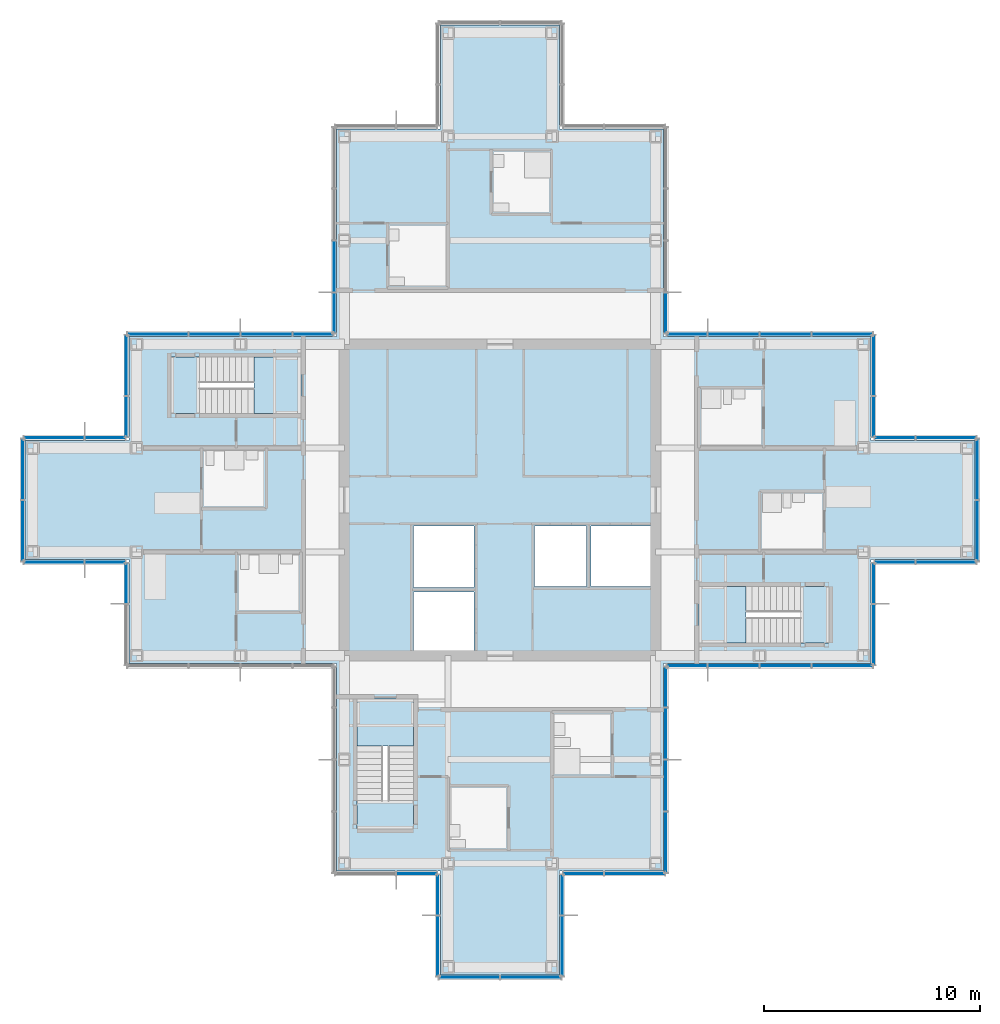
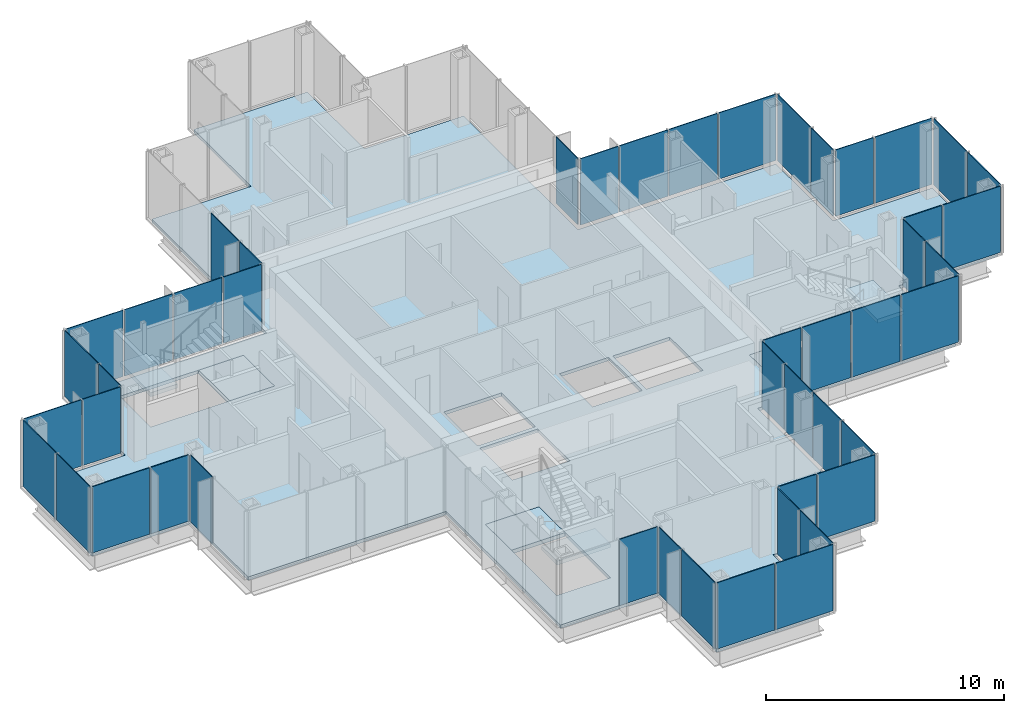
# One storey, part 10 of 17: 47 plates, 7 slabs, 24 elements without a shape of their own.
"""IFC4 building model written with IfcOpenShell, lengths in metres."""

from ifc_helpers import new_model, si_unit, direction, frame, origin, origin_2d, place, context, subcontext, project, spatial, polyline, rectangle, outline, extrude, material, layer, layer_set, type_object, element, aggregate, save


model = new_model("IFC4")

# Units and contexts
model_context = context("Model", 3, precision=1e-05, world=origin(), true_north=direction((0.0, 1.0)))
body_context = subcontext(model_context, "Body", "Model", "MODEL_VIEW")
ifc_project = project(units=[si_unit("LENGTHUNIT", "METRE"), si_unit("AREAUNIT", "SQUARE_METRE"), si_unit("VOLUMEUNIT", "CUBIC_METRE"), si_unit("PLANEANGLEUNIT", "RADIAN"), si_unit("MASSUNIT", "GRAM", prefix="KILO")], contexts=[model_context])

# Site, building, storey
site_placement = place(None, origin())
site = spatial("IfcSite", under=ifc_project, at=site_placement, CompositionType="ELEMENT")
building_placement = place(site_placement, origin())
building = spatial("IfcBuilding", under=site, at=building_placement, Name="Kvirike Care Tower", CompositionType="ELEMENT")
storey_placement = place(building_placement, frame((0.0, 0.0, 172.5)))
storey = spatial("IfcBuildingStorey", under=building, at=storey_placement, Name="L47", CompositionType="ELEMENT", Elevation=172.5)

# Slab
ifc_material_1 = material(Name="Concrete C35/45", Category="concrete")
ifc_layer_1 = layer(ifc_material_1, 0.169921875)
ifc_layer_set_1 = layer_set([ifc_layer_1], Name="FLOOR SLAB 170")
slab_type_1 = type_object("IfcSlabType", Name="FLOOR SLAB 170", PredefinedType="FLOOR", material=ifc_layer_set_1)
slab_1_placement = place(storey_placement, frame((0.0, 0.0, -0.169921875)))
element("IfcSlab", 1, at=slab_1_placement, inside=storey, type_object=slab_type_1, Name="Floor slab L47", PredefinedType="FLOOR", context=body_context, shape_type="SweptSolid", body=[
    extrude(outline(polyline([(29.14990234375, 28.449951171875), (38.75, 28.449951171875), (38.75, 33.25), (43.550048828125, 33.25), (43.550048828125, 38.75), (38.75, 38.75), (38.75, 43.550048828125), (29.14990234375, 43.550048828125), (29.14990234375, 53.14990234375), (24.35009765625, 53.14990234375), (24.35009765625, 57.949951171875), (18.85009765625, 57.949951171875), (18.85009765625, 53.14990234375), (14.050048828125, 53.14990234375), (14.050048828125, 43.550048828125), (4.449951171875, 43.550048828125), (4.449951171875, 38.75), (-0.35009765625, 38.75), (-0.35009765625, 33.25), (4.449951171875, 33.25), (4.449951171875, 28.449951171875), (14.050048828125, 28.449951171875), (14.050048828125, 18.85009765625), (18.85009765625, 18.85009765625), (18.85009765625, 14.050048828125), (24.35009765625, 14.050048828125), (24.35009765625, 18.85009765625), (29.14990234375, 18.85009765625), (29.14990234375, 28.449951171875)]), holes=[polyline([(17.60009765625, 29.050048828125), (17.60009765625, 31.75), (20.39990234375, 31.75), (20.39990234375, 29.050048828125), (17.60009765625, 29.050048828125)]), polyline([(17.60009765625, 31.949951171875), (17.60009765625, 34.800048828125), (20.39990234375, 34.800048828125), (20.39990234375, 31.949951171875), (17.60009765625, 31.949951171875)]), polyline([(23.199951171875, 32.0), (23.199951171875, 34.800048828125), (25.60009765625, 34.800048828125), (25.60009765625, 32.0), (23.199951171875, 32.0)]), polyline([(25.800048828125, 32.0), (25.800048828125, 34.800048828125), (28.550048828125, 34.800048828125), (28.550048828125, 32.0), (25.800048828125, 32.0)]), polyline([(12.39990234375, 42.60009765625), (12.39990234375, 40.0), (6.39990234375, 40.0), (6.39990234375, 42.60009765625), (12.39990234375, 42.60009765625)]), polyline([(30.800048828125, 29.39990234375), (30.800048828125, 32.0), (36.800048828125, 32.0), (36.800048828125, 29.39990234375), (30.800048828125, 29.39990234375)]), polyline([(15.0, 26.800048828125), (17.60009765625, 26.800048828125), (17.60009765625, 20.800048828125), (15.0, 20.800048828125), (15.0, 26.800048828125)])]), origin(), (0.0, 0.0, 1.0), 0.169921875),
])

# Stair, slabs
ifc_material_2 = material(Name="Concrete C35/45", Category="concrete")
stair_type = type_object("IfcStairType", Name="STAIR 20 RISERS", PredefinedType="HALF_TURN_STAIR", material=ifc_material_2)
stair_1_placement = place(storey_placement, origin())
stair_1 = element("IfcStair", 2, at=stair_1_placement, inside=storey, type_object=stair_type, Name="Stair 1 L47", PredefinedType="HALF_TURN_STAIR")
ifc_material_3 = material(Name="Concrete C35/45", Category="concrete")
ifc_layer_2 = layer(ifc_material_3, 0.199951171875)
ifc_layer_set_2 = layer_set([ifc_layer_2], Name="STAIR LANDING 200")
slab_type_2 = type_object("IfcSlabType", Name="STAIR LANDING 200", PredefinedType="LANDING", material=ifc_layer_set_2)
slab_2_placement = place(storey_placement, frame((0.0, 0.0, -0.199951171875)))
slab_2 = element("IfcSlab", 3, at=slab_2_placement, type_object=slab_type_2, Name="Stair S1 floor landing L47", PredefinedType="LANDING", context=body_context, shape_type="SweptSolid", body=[
    extrude(outline(polyline([(10.219970703125, 42.60009765625), (10.219970703125, 40.0), (12.39990234375, 40.0), (12.39990234375, 42.60009765625), (10.219970703125, 42.60009765625)])), origin(), (0.0, 0.0, 1.0), 0.199951171875),
])
slab_3_placement = place(storey_placement, frame((0.0, 0.0, 1.550048828125)))
slab_3 = element("IfcSlab", 4, at=slab_3_placement, type_object=slab_type_2, Name="Stair S1 half landing L47-L48", PredefinedType="LANDING", context=body_context, shape_type="SweptSolid", body=[
    extrude(outline(polyline([(6.39990234375, 42.60009765625), (6.39990234375, 40.0), (7.699951171875, 40.0), (7.699951171875, 42.60009765625), (6.39990234375, 42.60009765625)])), origin(), (0.0, 0.0, 1.0), 0.199951171875),
])
aggregate(stair_1, [slab_2, slab_3])

stair_2_placement = place(storey_placement, origin())
stair_2 = element("IfcStair", 5, at=stair_2_placement, inside=storey, type_object=stair_type, Name="Stair 2 L47", PredefinedType="HALF_TURN_STAIR")
slab_4_placement = place(storey_placement, frame((0.0, 0.0, -0.199951171875)))
slab_4 = element("IfcSlab", 6, at=slab_4_placement, type_object=slab_type_2, Name="Stair S2 floor landing L47", PredefinedType="LANDING", context=body_context, shape_type="SweptSolid", body=[
    extrude(outline(polyline([(32.97998046875, 29.39990234375), (32.97998046875, 32.0), (30.800048828125, 32.0), (30.800048828125, 29.39990234375), (32.97998046875, 29.39990234375)])), origin(), (0.0, 0.0, 1.0), 0.199951171875),
])
slab_5_placement = place(storey_placement, frame((0.0, 0.0, 1.550048828125)))
slab_5 = element("IfcSlab", 7, at=slab_5_placement, type_object=slab_type_2, Name="Stair S2 half landing L47-L48", PredefinedType="LANDING", context=body_context, shape_type="SweptSolid", body=[
    extrude(outline(polyline([(36.800048828125, 29.39990234375), (36.800048828125, 32.0), (35.5, 32.0), (35.5, 29.39990234375), (36.800048828125, 29.39990234375)])), origin(), (0.0, 0.0, 1.0), 0.199951171875),
])
aggregate(stair_2, [slab_4, slab_5])

stair_3_placement = place(storey_placement, origin())
stair_3 = element("IfcStair", 8, at=stair_3_placement, inside=storey, type_object=stair_type, Name="Stair 5 L47", PredefinedType="HALF_TURN_STAIR")
slab_6_placement = place(storey_placement, frame((0.0, 0.0, -0.199951171875)))
slab_6 = element("IfcSlab", 9, at=slab_6_placement, type_object=slab_type_2, Name="Stair S5 floor landing L47", PredefinedType="LANDING", context=body_context, shape_type="SweptSolid", body=[
    extrude(outline(polyline([(15.0, 24.6201171875), (17.60009765625, 24.6201171875), (17.60009765625, 26.800048828125), (15.0, 26.800048828125), (15.0, 24.6201171875)])), origin(), (0.0, 0.0, 1.0), 0.199951171875),
])
slab_7_placement = place(storey_placement, frame((0.0, 0.0, 1.550048828125)))
slab_7 = element("IfcSlab", 10, at=slab_7_placement, type_object=slab_type_2, Name="Stair S5 half landing L47-L48", PredefinedType="LANDING", context=body_context, shape_type="SweptSolid", body=[
    extrude(outline(polyline([(15.0, 20.800048828125), (17.60009765625, 20.800048828125), (17.60009765625, 22.10009765625), (15.0, 22.10009765625), (15.0, 20.800048828125)])), origin(), (0.0, 0.0, 1.0), 0.199951171875),
])
aggregate(stair_3, [slab_6, slab_7])

# Curtain wall, plates
ifc_material_4 = material(Name="Anodised aluminium stick system", Category="aluminium")
curtain_wall_type = type_object("IfcCurtainWallType", Name="CW-C STICK CURTAIN WALL", PredefinedType="NOTDEFINED", material=ifc_material_4)
curtain_wall_1_placement = place(storey_placement, origin())
curtain_wall_1 = element("IfcCurtainWall", 11, at=curtain_wall_1_placement, inside=storey, type_object=curtain_wall_type, Name="Curtain wall L47 face 1", PredefinedType="NOTDEFINED")
ifc_material_5 = material(Name="Tinted double glazed unit", Category="glass")
ifc_layer_3 = layer(ifc_material_5, 0.0400390625)
ifc_layer_set_3 = layer_set([ifc_layer_3], Name="TINTED VISION PANEL 40")
plate_type = type_object("IfcPlateType", Name="TINTED VISION PANEL 40", PredefinedType="CURTAIN_PANEL", material=ifc_layer_set_3)
plate_1_placement = place(storey_placement, frame((30.251220703125, 28.330078125, 0.10009765625), z_axis=(0.0, 0.0, 1.0), x_axis=(1.0, 0.0, 0.0)))
plate_1 = element("IfcPlate", 12, at=plate_1_placement, type_object=plate_type, Name="CW-C panel L47 face 1.1", PredefinedType="CURTAIN_PANEL", context=body_context, shape_type="SweptSolid", body=[
    extrude(rectangle(XDim=1.83251953125, YDim=0.0400390625, at=origin_2d()), origin(), (0.0, 0.0, 1.0), 3.39990234375),
])
plate_2_placement = place(storey_placement, frame((32.39990234375, 28.330078125, 0.10009765625), z_axis=(0.0, 0.0, 1.0), x_axis=(1.0, 0.0, 0.0)))
plate_2 = element("IfcPlate", 13, at=plate_2_placement, type_object=plate_type, Name="CW-C panel L47 face 1.2", PredefinedType="CURTAIN_PANEL", context=body_context, shape_type="SweptSolid", body=[
    extrude(rectangle(XDim=2.3349609375, YDim=0.0400390625, at=origin_2d()), origin(), (0.0, 0.0, 1.0), 3.39990234375),
])
plate_3_placement = place(storey_placement, frame((34.800048828125, 28.330078125, 0.10009765625), z_axis=(0.0, 0.0, 1.0), x_axis=(1.0, 0.0, 0.0)))
plate_3 = element("IfcPlate", 14, at=plate_3_placement, type_object=plate_type, Name="CW-C panel L47 face 1.3", PredefinedType="CURTAIN_PANEL", context=body_context, shape_type="SweptSolid", body=[
    extrude(rectangle(XDim=2.3349609375, YDim=0.0400390625, at=origin_2d()), origin(), (0.0, 0.0, 1.0), 3.39990234375),
])
plate_4_placement = place(storey_placement, frame((37.418701171875, 28.330078125, 0.10009765625), z_axis=(0.0, 0.0, 1.0), x_axis=(1.0, 0.0, 0.0)))
plate_4 = element("IfcPlate", 15, at=plate_4_placement, type_object=plate_type, Name="CW-C panel L47 face 1.4", PredefinedType="CURTAIN_PANEL", context=body_context, shape_type="SweptSolid", body=[
    extrude(rectangle(XDim=2.7724609375, YDim=0.0400390625, at=origin_2d()), origin(), (0.0, 0.0, 1.0), 3.39990234375),
])
aggregate(curtain_wall_1, [plate_1, plate_2, plate_3, plate_4])

curtain_wall_2_placement = place(storey_placement, origin())
curtain_wall_2 = element("IfcCurtainWall", 16, at=curtain_wall_2_placement, inside=storey, type_object=curtain_wall_type, Name="Curtain wall L47 face 2", PredefinedType="NOTDEFINED")
plate_5_placement = place(storey_placement, frame((38.8701171875, 29.78125, 0.10009765625), z_axis=(0.0, 0.0, 1.0), x_axis=(0.0, 1.0, 0.0)))
plate_5 = element("IfcPlate", 17, at=plate_5_placement, type_object=plate_type, Name="CW-C panel L47 face 2.1", PredefinedType="CURTAIN_PANEL", context=body_context, shape_type="SweptSolid", body=[
    extrude(rectangle(XDim=2.7724609375, YDim=0.0400390625, at=origin_2d()), origin(), (0.0, 0.0, 1.0), 3.39990234375),
])
plate_6_placement = place(storey_placement, frame((38.8701171875, 32.148681640625, 0.10009765625), z_axis=(0.0, 0.0, 1.0), x_axis=(0.0, 1.0, 0.0)))
plate_6 = element("IfcPlate", 18, at=plate_6_placement, type_object=plate_type, Name="CW-C panel L47 face 2.2", PredefinedType="CURTAIN_PANEL", context=body_context, shape_type="SweptSolid", body=[
    extrude(rectangle(XDim=1.83251953125, YDim=0.0400390625, at=origin_2d()), origin(), (0.0, 0.0, 1.0), 3.39990234375),
])
aggregate(curtain_wall_2, [plate_5, plate_6])

curtain_wall_3_placement = place(storey_placement, origin())
curtain_wall_3 = element("IfcCurtainWall", 19, at=curtain_wall_3_placement, inside=storey, type_object=curtain_wall_type, Name="Curtain wall L47 face 3", PredefinedType="NOTDEFINED")
plate_7_placement = place(storey_placement, frame((39.851318359375, 33.1298828125, 0.10009765625), z_axis=(0.0, 0.0, 1.0), x_axis=(1.0, 0.0, 0.0)))
plate_7 = element("IfcPlate", 20, at=plate_7_placement, type_object=plate_type, Name="CW-C panel L47 face 3.1", PredefinedType="CURTAIN_PANEL", context=body_context, shape_type="SweptSolid", body=[
    extrude(rectangle(XDim=1.83251953125, YDim=0.0400390625, at=origin_2d()), origin(), (0.0, 0.0, 1.0), 3.39990234375),
])
plate_8_placement = place(storey_placement, frame((42.21875, 33.1298828125, 0.10009765625), z_axis=(0.0, 0.0, 1.0), x_axis=(1.0, 0.0, 0.0)))
plate_8 = element("IfcPlate", 21, at=plate_8_placement, type_object=plate_type, Name="CW-C panel L47 face 3.2", PredefinedType="CURTAIN_PANEL", context=body_context, shape_type="SweptSolid", body=[
    extrude(rectangle(XDim=2.7724609375, YDim=0.0400390625, at=origin_2d()), origin(), (0.0, 0.0, 1.0), 3.39990234375),
])
aggregate(curtain_wall_3, [plate_7, plate_8])

curtain_wall_4_placement = place(storey_placement, origin())
curtain_wall_4 = element("IfcCurtainWall", 22, at=curtain_wall_4_placement, inside=storey, type_object=curtain_wall_type, Name="Curtain wall L47 face 4", PredefinedType="NOTDEFINED")
plate_9_placement = place(storey_placement, frame((43.669921875, 34.581298828125, 0.10009765625), z_axis=(0.0, 0.0, 1.0), x_axis=(0.0, 1.0, 0.0)))
plate_9 = element("IfcPlate", 23, at=plate_9_placement, type_object=plate_type, Name="CW-C panel L47 face 4.1", PredefinedType="CURTAIN_PANEL", context=body_context, shape_type="SweptSolid", body=[
    extrude(rectangle(XDim=2.7724609375, YDim=0.0400390625, at=origin_2d()), origin(), (0.0, 0.0, 1.0), 3.39990234375),
])
plate_10_placement = place(storey_placement, frame((43.669921875, 37.418701171875, 0.10009765625), z_axis=(0.0, 0.0, 1.0), x_axis=(0.0, 1.0, 0.0)))
plate_10 = element("IfcPlate", 24, at=plate_10_placement, type_object=plate_type, Name="CW-C panel L47 face 4.2", PredefinedType="CURTAIN_PANEL", context=body_context, shape_type="SweptSolid", body=[
    extrude(rectangle(XDim=2.7724609375, YDim=0.0400390625, at=origin_2d()), origin(), (0.0, 0.0, 1.0), 3.39990234375),
])
aggregate(curtain_wall_4, [plate_9, plate_10])

curtain_wall_5_placement = place(storey_placement, origin())
curtain_wall_5 = element("IfcCurtainWall", 25, at=curtain_wall_5_placement, inside=storey, type_object=curtain_wall_type, Name="Curtain wall L47 face 5", PredefinedType="NOTDEFINED")
plate_11_placement = place(storey_placement, frame((42.21875, 38.8701171875, 0.10009765625), z_axis=(0.0, 0.0, 1.0), x_axis=(-1.0, 0.0, 0.0)))
plate_11 = element("IfcPlate", 26, at=plate_11_placement, type_object=plate_type, Name="CW-C panel L47 face 5.1", PredefinedType="CURTAIN_PANEL", context=body_context, shape_type="SweptSolid", body=[
    extrude(rectangle(XDim=2.7724609375, YDim=0.0400390625, at=origin_2d()), origin(), (0.0, 0.0, 1.0), 3.39990234375),
])
plate_12_placement = place(storey_placement, frame((39.851318359375, 38.8701171875, 0.10009765625), z_axis=(0.0, 0.0, 1.0), x_axis=(-1.0, 0.0, 0.0)))
plate_12 = element("IfcPlate", 27, at=plate_12_placement, type_object=plate_type, Name="CW-C panel L47 face 5.2", PredefinedType="CURTAIN_PANEL", context=body_context, shape_type="SweptSolid", body=[
    extrude(rectangle(XDim=1.83251953125, YDim=0.0400390625, at=origin_2d()), origin(), (0.0, 0.0, 1.0), 3.39990234375),
])
aggregate(curtain_wall_5, [plate_11, plate_12])

curtain_wall_6_placement = place(storey_placement, origin())
curtain_wall_6 = element("IfcCurtainWall", 28, at=curtain_wall_6_placement, inside=storey, type_object=curtain_wall_type, Name="Curtain wall L47 face 6", PredefinedType="NOTDEFINED")
plate_13_placement = place(storey_placement, frame((38.8701171875, 39.851318359375, 0.10009765625), z_axis=(0.0, 0.0, 1.0), x_axis=(0.0, 1.0, 0.0)))
plate_13 = element("IfcPlate", 29, at=plate_13_placement, type_object=plate_type, Name="CW-C panel L47 face 6.1", PredefinedType="CURTAIN_PANEL", context=body_context, shape_type="SweptSolid", body=[
    extrude(rectangle(XDim=1.83251953125, YDim=0.0400390625, at=origin_2d()), origin(), (0.0, 0.0, 1.0), 3.39990234375),
])
plate_14_placement = place(storey_placement, frame((38.8701171875, 42.21875, 0.10009765625), z_axis=(0.0, 0.0, 1.0), x_axis=(0.0, 1.0, 0.0)))
plate_14 = element("IfcPlate", 30, at=plate_14_placement, type_object=plate_type, Name="CW-C panel L47 face 6.2", PredefinedType="CURTAIN_PANEL", context=body_context, shape_type="SweptSolid", body=[
    extrude(rectangle(XDim=2.7724609375, YDim=0.0400390625, at=origin_2d()), origin(), (0.0, 0.0, 1.0), 3.39990234375),
])
aggregate(curtain_wall_6, [plate_13, plate_14])

curtain_wall_7_placement = place(storey_placement, origin())
curtain_wall_7 = element("IfcCurtainWall", 31, at=curtain_wall_7_placement, inside=storey, type_object=curtain_wall_type, Name="Curtain wall L47 face 7", PredefinedType="NOTDEFINED")
plate_15_placement = place(storey_placement, frame((37.418701171875, 43.669921875, 0.10009765625), z_axis=(0.0, 0.0, 1.0), x_axis=(-1.0, 0.0, 0.0)))
plate_15 = element("IfcPlate", 32, at=plate_15_placement, type_object=plate_type, Name="CW-C panel L47 face 7.1", PredefinedType="CURTAIN_PANEL", context=body_context, shape_type="SweptSolid", body=[
    extrude(rectangle(XDim=2.7724609375, YDim=0.0400390625, at=origin_2d()), origin(), (0.0, 0.0, 1.0), 3.39990234375),
])
plate_16_placement = place(storey_placement, frame((34.800048828125, 43.669921875, 0.10009765625), z_axis=(0.0, 0.0, 1.0), x_axis=(-1.0, 0.0, 0.0)))
plate_16 = element("IfcPlate", 33, at=plate_16_placement, type_object=plate_type, Name="CW-C panel L47 face 7.2", PredefinedType="CURTAIN_PANEL", context=body_context, shape_type="SweptSolid", body=[
    extrude(rectangle(XDim=2.3349609375, YDim=0.0400390625, at=origin_2d()), origin(), (0.0, 0.0, 1.0), 3.39990234375),
])
plate_17_placement = place(storey_placement, frame((32.39990234375, 43.669921875, 0.10009765625), z_axis=(0.0, 0.0, 1.0), x_axis=(-1.0, 0.0, 0.0)))
plate_17 = element("IfcPlate", 34, at=plate_17_placement, type_object=plate_type, Name="CW-C panel L47 face 7.3", PredefinedType="CURTAIN_PANEL", context=body_context, shape_type="SweptSolid", body=[
    extrude(rectangle(XDim=2.3349609375, YDim=0.0400390625, at=origin_2d()), origin(), (0.0, 0.0, 1.0), 3.39990234375),
])
plate_18_placement = place(storey_placement, frame((30.251220703125, 43.669921875, 0.10009765625), z_axis=(0.0, 0.0, 1.0), x_axis=(-1.0, 0.0, 0.0)))
plate_18 = element("IfcPlate", 35, at=plate_18_placement, type_object=plate_type, Name="CW-C panel L47 face 7.4", PredefinedType="CURTAIN_PANEL", context=body_context, shape_type="SweptSolid", body=[
    extrude(rectangle(XDim=1.83251953125, YDim=0.0400390625, at=origin_2d()), origin(), (0.0, 0.0, 1.0), 3.39990234375),
])
aggregate(curtain_wall_7, [plate_15, plate_16, plate_17, plate_18])

# Curtain wall, plate
curtain_wall_8_placement = place(storey_placement, origin())
curtain_wall_8 = element("IfcCurtainWall", 36, at=curtain_wall_8_placement, inside=storey, type_object=curtain_wall_type, Name="Curtain wall L47 face 8", PredefinedType="NOTDEFINED")
plate_19_placement = place(storey_placement, frame((29.27001953125, 44.6513671875, 0.10009765625), z_axis=(0.0, 0.0, 1.0), x_axis=(0.0, 1.0, 0.0)))
plate_19 = element("IfcPlate", 37, at=plate_19_placement, type_object=plate_type, Name="CW-C panel L47 face 8.1", PredefinedType="CURTAIN_PANEL", context=body_context, shape_type="SweptSolid", body=[
    extrude(rectangle(XDim=1.83251953125, YDim=0.0400390625, at=origin_2d()), origin(), (0.0, 0.0, 1.0), 3.39990234375),
])
aggregate(curtain_wall_8, [plate_19])

# Curtain wall, plates
curtain_wall_9_placement = place(storey_placement, origin())
curtain_wall_9 = element("IfcCurtainWall", 38, at=curtain_wall_9_placement, inside=storey, type_object=curtain_wall_type, Name="Curtain wall L47 face 14", PredefinedType="NOTDEFINED")
plate_20_placement = place(storey_placement, frame((13.929931640625, 46.800048828125, 0.10009765625), z_axis=(0.0, 0.0, 1.0), x_axis=(0.0, -1.0, 0.0)))
plate_20 = element("IfcPlate", 39, at=plate_20_placement, type_object=plate_type, Name="CW-C panel L47 face 14.3", PredefinedType="CURTAIN_PANEL", context=body_context, shape_type="SweptSolid", body=[
    extrude(rectangle(XDim=2.3349609375, YDim=0.0400390625, at=origin_2d()), origin(), (0.0, 0.0, 1.0), 3.39990234375),
])
plate_21_placement = place(storey_placement, frame((13.929931640625, 44.6513671875, 0.10009765625), z_axis=(0.0, 0.0, 1.0), x_axis=(0.0, -1.0, 0.0)))
plate_21 = element("IfcPlate", 40, at=plate_21_placement, type_object=plate_type, Name="CW-C panel L47 face 14.4", PredefinedType="CURTAIN_PANEL", context=body_context, shape_type="SweptSolid", body=[
    extrude(rectangle(XDim=1.83251953125, YDim=0.0400390625, at=origin_2d()), origin(), (0.0, 0.0, 1.0), 3.39990234375),
])
aggregate(curtain_wall_9, [plate_20, plate_21])

curtain_wall_10_placement = place(storey_placement, origin())
curtain_wall_10 = element("IfcCurtainWall", 41, at=curtain_wall_10_placement, inside=storey, type_object=curtain_wall_type, Name="Curtain wall L47 face 15", PredefinedType="NOTDEFINED")
plate_22_placement = place(storey_placement, frame((12.94873046875, 43.669921875, 0.10009765625), z_axis=(0.0, 0.0, 1.0), x_axis=(-1.0, 0.0, 0.0)))
plate_22 = element("IfcPlate", 42, at=plate_22_placement, type_object=plate_type, Name="CW-C panel L47 face 15.1", PredefinedType="CURTAIN_PANEL", context=body_context, shape_type="SweptSolid", body=[
    extrude(rectangle(XDim=1.83251953125, YDim=0.0400390625, at=origin_2d()), origin(), (0.0, 0.0, 1.0), 3.39990234375),
])
plate_23_placement = place(storey_placement, frame((10.800048828125, 43.669921875, 0.10009765625), z_axis=(0.0, 0.0, 1.0), x_axis=(-1.0, 0.0, 0.0)))
plate_23 = element("IfcPlate", 43, at=plate_23_placement, type_object=plate_type, Name="CW-C panel L47 face 15.2", PredefinedType="CURTAIN_PANEL", context=body_context, shape_type="SweptSolid", body=[
    extrude(rectangle(XDim=2.3349609375, YDim=0.0400390625, at=origin_2d()), origin(), (0.0, 0.0, 1.0), 3.39990234375),
])
plate_24_placement = place(storey_placement, frame((8.39990234375, 43.669921875, 0.10009765625), z_axis=(0.0, 0.0, 1.0), x_axis=(-1.0, 0.0, 0.0)))
plate_24 = element("IfcPlate", 44, at=plate_24_placement, type_object=plate_type, Name="CW-C panel L47 face 15.3", PredefinedType="CURTAIN_PANEL", context=body_context, shape_type="SweptSolid", body=[
    extrude(rectangle(XDim=2.3349609375, YDim=0.0400390625, at=origin_2d()), origin(), (0.0, 0.0, 1.0), 3.39990234375),
])
plate_25_placement = place(storey_placement, frame((5.78125, 43.669921875, 0.10009765625), z_axis=(0.0, 0.0, 1.0), x_axis=(-1.0, 0.0, 0.0)))
plate_25 = element("IfcPlate", 45, at=plate_25_placement, type_object=plate_type, Name="CW-C panel L47 face 15.4", PredefinedType="CURTAIN_PANEL", context=body_context, shape_type="SweptSolid", body=[
    extrude(rectangle(XDim=2.7724609375, YDim=0.0400390625, at=origin_2d()), origin(), (0.0, 0.0, 1.0), 3.39990234375),
])
aggregate(curtain_wall_10, [plate_22, plate_23, plate_24, plate_25])

curtain_wall_11_placement = place(storey_placement, origin())
curtain_wall_11 = element("IfcCurtainWall", 46, at=curtain_wall_11_placement, inside=storey, type_object=curtain_wall_type, Name="Curtain wall L47 face 16", PredefinedType="NOTDEFINED")
plate_26_placement = place(storey_placement, frame((4.330078125, 42.21875, 0.10009765625), z_axis=(0.0, 0.0, 1.0), x_axis=(0.0, -1.0, 0.0)))
plate_26 = element("IfcPlate", 47, at=plate_26_placement, type_object=plate_type, Name="CW-C panel L47 face 16.1", PredefinedType="CURTAIN_PANEL", context=body_context, shape_type="SweptSolid", body=[
    extrude(rectangle(XDim=2.7724609375, YDim=0.0400390625, at=origin_2d()), origin(), (0.0, 0.0, 1.0), 3.39990234375),
])
plate_27_placement = place(storey_placement, frame((4.330078125, 39.851318359375, 0.10009765625), z_axis=(0.0, 0.0, 1.0), x_axis=(0.0, -1.0, 0.0)))
plate_27 = element("IfcPlate", 48, at=plate_27_placement, type_object=plate_type, Name="CW-C panel L47 face 16.2", PredefinedType="CURTAIN_PANEL", context=body_context, shape_type="SweptSolid", body=[
    extrude(rectangle(XDim=1.83251953125, YDim=0.0400390625, at=origin_2d()), origin(), (0.0, 0.0, 1.0), 3.39990234375),
])
aggregate(curtain_wall_11, [plate_26, plate_27])

curtain_wall_12_placement = place(storey_placement, origin())
curtain_wall_12 = element("IfcCurtainWall", 49, at=curtain_wall_12_placement, inside=storey, type_object=curtain_wall_type, Name="Curtain wall L47 face 17", PredefinedType="NOTDEFINED")
plate_28_placement = place(storey_placement, frame((3.3486328125, 38.8701171875, 0.10009765625), z_axis=(0.0, 0.0, 1.0), x_axis=(-1.0, 0.0, 0.0)))
plate_28 = element("IfcPlate", 50, at=plate_28_placement, type_object=plate_type, Name="CW-C panel L47 face 17.1", PredefinedType="CURTAIN_PANEL", context=body_context, shape_type="SweptSolid", body=[
    extrude(rectangle(XDim=1.83251953125, YDim=0.0400390625, at=origin_2d()), origin(), (0.0, 0.0, 1.0), 3.39990234375),
])
plate_29_placement = place(storey_placement, frame((0.981201171875, 38.8701171875, 0.10009765625), z_axis=(0.0, 0.0, 1.0), x_axis=(-1.0, 0.0, 0.0)))
plate_29 = element("IfcPlate", 51, at=plate_29_placement, type_object=plate_type, Name="CW-C panel L47 face 17.2", PredefinedType="CURTAIN_PANEL", context=body_context, shape_type="SweptSolid", body=[
    extrude(rectangle(XDim=2.7724609375, YDim=0.0400390625, at=origin_2d()), origin(), (0.0, 0.0, 1.0), 3.39990234375),
])
aggregate(curtain_wall_12, [plate_28, plate_29])

curtain_wall_13_placement = place(storey_placement, origin())
curtain_wall_13 = element("IfcCurtainWall", 52, at=curtain_wall_13_placement, inside=storey, type_object=curtain_wall_type, Name="Curtain wall L47 face 18", PredefinedType="NOTDEFINED")
plate_30_placement = place(storey_placement, frame((-0.469970703125, 37.418701171875, 0.10009765625), z_axis=(0.0, 0.0, 1.0), x_axis=(0.0, -1.0, 0.0)))
plate_30 = element("IfcPlate", 53, at=plate_30_placement, type_object=plate_type, Name="CW-C panel L47 face 18.1", PredefinedType="CURTAIN_PANEL", context=body_context, shape_type="SweptSolid", body=[
    extrude(rectangle(XDim=2.7724609375, YDim=0.0400390625, at=origin_2d()), origin(), (0.0, 0.0, 1.0), 3.39990234375),
])
plate_31_placement = place(storey_placement, frame((-0.469970703125, 34.581298828125, 0.10009765625), z_axis=(0.0, 0.0, 1.0), x_axis=(0.0, -1.0, 0.0)))
plate_31 = element("IfcPlate", 54, at=plate_31_placement, type_object=plate_type, Name="CW-C panel L47 face 18.2", PredefinedType="CURTAIN_PANEL", context=body_context, shape_type="SweptSolid", body=[
    extrude(rectangle(XDim=2.7724609375, YDim=0.0400390625, at=origin_2d()), origin(), (0.0, 0.0, 1.0), 3.39990234375),
])
aggregate(curtain_wall_13, [plate_30, plate_31])

curtain_wall_14_placement = place(storey_placement, origin())
curtain_wall_14 = element("IfcCurtainWall", 55, at=curtain_wall_14_placement, inside=storey, type_object=curtain_wall_type, Name="Curtain wall L47 face 19", PredefinedType="NOTDEFINED")
plate_32_placement = place(storey_placement, frame((0.981201171875, 33.1298828125, 0.10009765625), z_axis=(0.0, 0.0, 1.0), x_axis=(1.0, 0.0, 0.0)))
plate_32 = element("IfcPlate", 56, at=plate_32_placement, type_object=plate_type, Name="CW-C panel L47 face 19.1", PredefinedType="CURTAIN_PANEL", context=body_context, shape_type="SweptSolid", body=[
    extrude(rectangle(XDim=2.7724609375, YDim=0.0400390625, at=origin_2d()), origin(), (0.0, 0.0, 1.0), 3.39990234375),
])
plate_33_placement = place(storey_placement, frame((3.3486328125, 33.1298828125, 0.10009765625), z_axis=(0.0, 0.0, 1.0), x_axis=(1.0, 0.0, 0.0)))
plate_33 = element("IfcPlate", 57, at=plate_33_placement, type_object=plate_type, Name="CW-C panel L47 face 19.2", PredefinedType="CURTAIN_PANEL", context=body_context, shape_type="SweptSolid", body=[
    extrude(rectangle(XDim=1.83251953125, YDim=0.0400390625, at=origin_2d()), origin(), (0.0, 0.0, 1.0), 3.39990234375),
])
aggregate(curtain_wall_14, [plate_32, plate_33])

# Curtain wall, plate
curtain_wall_15_placement = place(storey_placement, origin())
curtain_wall_15 = element("IfcCurtainWall", 58, at=curtain_wall_15_placement, inside=storey, type_object=curtain_wall_type, Name="Curtain wall L47 face 20", PredefinedType="NOTDEFINED")
plate_34_placement = place(storey_placement, frame((4.330078125, 32.148681640625, 0.10009765625), z_axis=(0.0, 0.0, 1.0), x_axis=(0.0, -1.0, 0.0)))
plate_34 = element("IfcPlate", 59, at=plate_34_placement, type_object=plate_type, Name="CW-C panel L47 face 20.1", PredefinedType="CURTAIN_PANEL", context=body_context, shape_type="SweptSolid", body=[
    extrude(rectangle(XDim=1.83251953125, YDim=0.0400390625, at=origin_2d()), origin(), (0.0, 0.0, 1.0), 3.39990234375),
])
aggregate(curtain_wall_15, [plate_34])

curtain_wall_16_placement = place(storey_placement, origin())
curtain_wall_16 = element("IfcCurtainWall", 60, at=curtain_wall_16_placement, inside=storey, type_object=curtain_wall_type, Name="Curtain wall L47 face 23", PredefinedType="NOTDEFINED")
plate_35_placement = place(storey_placement, frame((17.748779296875, 18.72998046875, 0.10009765625), z_axis=(0.0, 0.0, 1.0), x_axis=(1.0, 0.0, 0.0)))
plate_35 = element("IfcPlate", 61, at=plate_35_placement, type_object=plate_type, Name="CW-C panel L47 face 23.2", PredefinedType="CURTAIN_PANEL", context=body_context, shape_type="SweptSolid", body=[
    extrude(rectangle(XDim=1.83251953125, YDim=0.0400390625, at=origin_2d()), origin(), (0.0, 0.0, 1.0), 3.39990234375),
])
aggregate(curtain_wall_16, [plate_35])

# Curtain wall, plates
curtain_wall_17_placement = place(storey_placement, origin())
curtain_wall_17 = element("IfcCurtainWall", 62, at=curtain_wall_17_placement, inside=storey, type_object=curtain_wall_type, Name="Curtain wall L47 face 24", PredefinedType="NOTDEFINED")
plate_36_placement = place(storey_placement, frame((18.72998046875, 17.748779296875, 0.10009765625), z_axis=(0.0, 0.0, 1.0), x_axis=(0.0, -1.0, 0.0)))
plate_36 = element("IfcPlate", 63, at=plate_36_placement, type_object=plate_type, Name="CW-C panel L47 face 24.1", PredefinedType="CURTAIN_PANEL", context=body_context, shape_type="SweptSolid", body=[
    extrude(rectangle(XDim=1.83251953125, YDim=0.0400390625, at=origin_2d()), origin(), (0.0, 0.0, 1.0), 3.39990234375),
])
plate_37_placement = place(storey_placement, frame((18.72998046875, 15.38134765625, 0.10009765625), z_axis=(0.0, 0.0, 1.0), x_axis=(0.0, -1.0, 0.0)))
plate_37 = element("IfcPlate", 64, at=plate_37_placement, type_object=plate_type, Name="CW-C panel L47 face 24.2", PredefinedType="CURTAIN_PANEL", context=body_context, shape_type="SweptSolid", body=[
    extrude(rectangle(XDim=2.7724609375, YDim=0.0400390625, at=origin_2d()), origin(), (0.0, 0.0, 1.0), 3.39990234375),
])
aggregate(curtain_wall_17, [plate_36, plate_37])

curtain_wall_18_placement = place(storey_placement, origin())
curtain_wall_18 = element("IfcCurtainWall", 65, at=curtain_wall_18_placement, inside=storey, type_object=curtain_wall_type, Name="Curtain wall L47 face 25", PredefinedType="NOTDEFINED")
plate_38_placement = place(storey_placement, frame((20.18115234375, 13.929931640625, 0.10009765625), z_axis=(0.0, 0.0, 1.0), x_axis=(1.0, 0.0, 0.0)))
plate_38 = element("IfcPlate", 66, at=plate_38_placement, type_object=plate_type, Name="CW-C panel L47 face 25.1", PredefinedType="CURTAIN_PANEL", context=body_context, shape_type="SweptSolid", body=[
    extrude(rectangle(XDim=2.7724609375, YDim=0.0400390625, at=origin_2d()), origin(), (0.0, 0.0, 1.0), 3.39990234375),
])
plate_39_placement = place(storey_placement, frame((23.018798828125, 13.929931640625, 0.10009765625), z_axis=(0.0, 0.0, 1.0), x_axis=(1.0, 0.0, 0.0)))
plate_39 = element("IfcPlate", 67, at=plate_39_placement, type_object=plate_type, Name="CW-C panel L47 face 25.2", PredefinedType="CURTAIN_PANEL", context=body_context, shape_type="SweptSolid", body=[
    extrude(rectangle(XDim=2.7724609375, YDim=0.0400390625, at=origin_2d()), origin(), (0.0, 0.0, 1.0), 3.39990234375),
])
aggregate(curtain_wall_18, [plate_38, plate_39])

curtain_wall_19_placement = place(storey_placement, origin())
curtain_wall_19 = element("IfcCurtainWall", 68, at=curtain_wall_19_placement, inside=storey, type_object=curtain_wall_type, Name="Curtain wall L47 face 26", PredefinedType="NOTDEFINED")
plate_40_placement = place(storey_placement, frame((24.469970703125, 15.38134765625, 0.10009765625), z_axis=(0.0, 0.0, 1.0), x_axis=(0.0, 1.0, 0.0)))
plate_40 = element("IfcPlate", 69, at=plate_40_placement, type_object=plate_type, Name="CW-C panel L47 face 26.1", PredefinedType="CURTAIN_PANEL", context=body_context, shape_type="SweptSolid", body=[
    extrude(rectangle(XDim=2.7724609375, YDim=0.0400390625, at=origin_2d()), origin(), (0.0, 0.0, 1.0), 3.39990234375),
])
plate_41_placement = place(storey_placement, frame((24.469970703125, 17.748779296875, 0.10009765625), z_axis=(0.0, 0.0, 1.0), x_axis=(0.0, 1.0, 0.0)))
plate_41 = element("IfcPlate", 70, at=plate_41_placement, type_object=plate_type, Name="CW-C panel L47 face 26.2", PredefinedType="CURTAIN_PANEL", context=body_context, shape_type="SweptSolid", body=[
    extrude(rectangle(XDim=1.83251953125, YDim=0.0400390625, at=origin_2d()), origin(), (0.0, 0.0, 1.0), 3.39990234375),
])
aggregate(curtain_wall_19, [plate_40, plate_41])

curtain_wall_20_placement = place(storey_placement, origin())
curtain_wall_20 = element("IfcCurtainWall", 71, at=curtain_wall_20_placement, inside=storey, type_object=curtain_wall_type, Name="Curtain wall L47 face 27", PredefinedType="NOTDEFINED")
plate_42_placement = place(storey_placement, frame((25.451171875, 18.72998046875, 0.10009765625), z_axis=(0.0, 0.0, 1.0), x_axis=(1.0, 0.0, 0.0)))
plate_42 = element("IfcPlate", 72, at=plate_42_placement, type_object=plate_type, Name="CW-C panel L47 face 27.1", PredefinedType="CURTAIN_PANEL", context=body_context, shape_type="SweptSolid", body=[
    extrude(rectangle(XDim=1.83251953125, YDim=0.0400390625, at=origin_2d()), origin(), (0.0, 0.0, 1.0), 3.39990234375),
])
plate_43_placement = place(storey_placement, frame((27.81884765625, 18.72998046875, 0.10009765625), z_axis=(0.0, 0.0, 1.0), x_axis=(1.0, 0.0, 0.0)))
plate_43 = element("IfcPlate", 73, at=plate_43_placement, type_object=plate_type, Name="CW-C panel L47 face 27.2", PredefinedType="CURTAIN_PANEL", context=body_context, shape_type="SweptSolid", body=[
    extrude(rectangle(XDim=2.7724609375, YDim=0.0400390625, at=origin_2d()), origin(), (0.0, 0.0, 1.0), 3.39990234375),
])
aggregate(curtain_wall_20, [plate_42, plate_43])

curtain_wall_21_placement = place(storey_placement, origin())
curtain_wall_21 = element("IfcCurtainWall", 74, at=curtain_wall_21_placement, inside=storey, type_object=curtain_wall_type, Name="Curtain wall L47 face 28", PredefinedType="NOTDEFINED")
plate_44_placement = place(storey_placement, frame((29.27001953125, 20.18115234375, 0.10009765625), z_axis=(0.0, 0.0, 1.0), x_axis=(0.0, 1.0, 0.0)))
plate_44 = element("IfcPlate", 75, at=plate_44_placement, type_object=plate_type, Name="CW-C panel L47 face 28.1", PredefinedType="CURTAIN_PANEL", context=body_context, shape_type="SweptSolid", body=[
    extrude(rectangle(XDim=2.7724609375, YDim=0.0400390625, at=origin_2d()), origin(), (0.0, 0.0, 1.0), 3.39990234375),
])
plate_45_placement = place(storey_placement, frame((29.27001953125, 22.800048828125, 0.10009765625), z_axis=(0.0, 0.0, 1.0), x_axis=(0.0, 1.0, 0.0)))
plate_45 = element("IfcPlate", 76, at=plate_45_placement, type_object=plate_type, Name="CW-C panel L47 face 28.2", PredefinedType="CURTAIN_PANEL", context=body_context, shape_type="SweptSolid", body=[
    extrude(rectangle(XDim=2.3349609375, YDim=0.0400390625, at=origin_2d()), origin(), (0.0, 0.0, 1.0), 3.39990234375),
])
plate_46_placement = place(storey_placement, frame((29.27001953125, 25.199951171875, 0.10009765625), z_axis=(0.0, 0.0, 1.0), x_axis=(0.0, 1.0, 0.0)))
plate_46 = element("IfcPlate", 77, at=plate_46_placement, type_object=plate_type, Name="CW-C panel L47 face 28.3", PredefinedType="CURTAIN_PANEL", context=body_context, shape_type="SweptSolid", body=[
    extrude(rectangle(XDim=2.3349609375, YDim=0.0400390625, at=origin_2d()), origin(), (0.0, 0.0, 1.0), 3.39990234375),
])
plate_47_placement = place(storey_placement, frame((29.27001953125, 27.3486328125, 0.10009765625), z_axis=(0.0, 0.0, 1.0), x_axis=(0.0, 1.0, 0.0)))
plate_47 = element("IfcPlate", 78, at=plate_47_placement, type_object=plate_type, Name="CW-C panel L47 face 28.4", PredefinedType="CURTAIN_PANEL", context=body_context, shape_type="SweptSolid", body=[
    extrude(rectangle(XDim=1.83251953125, YDim=0.0400390625, at=origin_2d()), origin(), (0.0, 0.0, 1.0), 3.39990234375),
])
aggregate(curtain_wall_21, [plate_44, plate_45, plate_46, plate_47])

save(model, "model.ifc")
